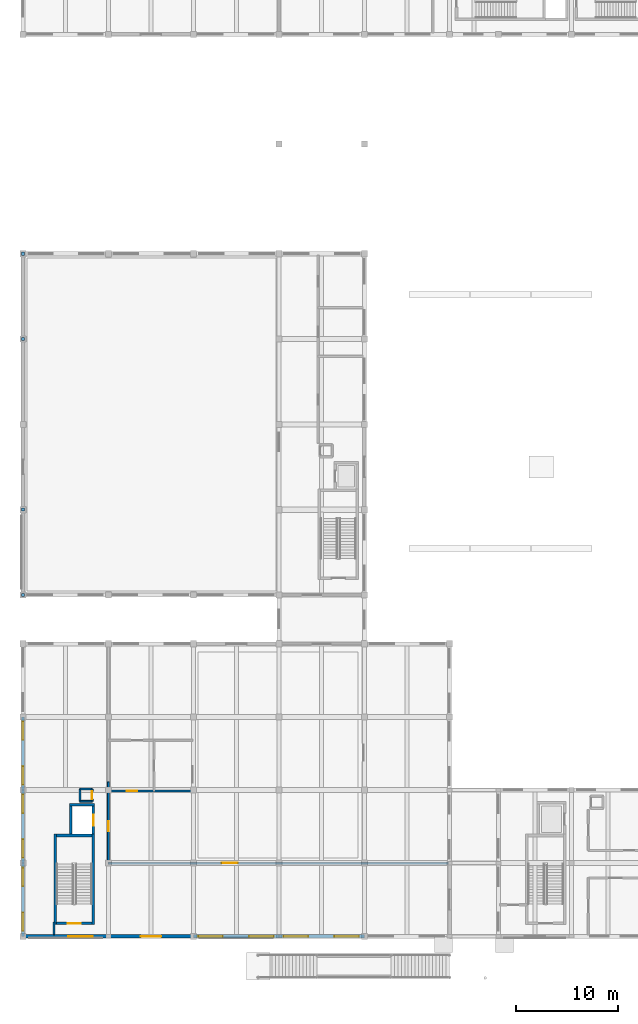
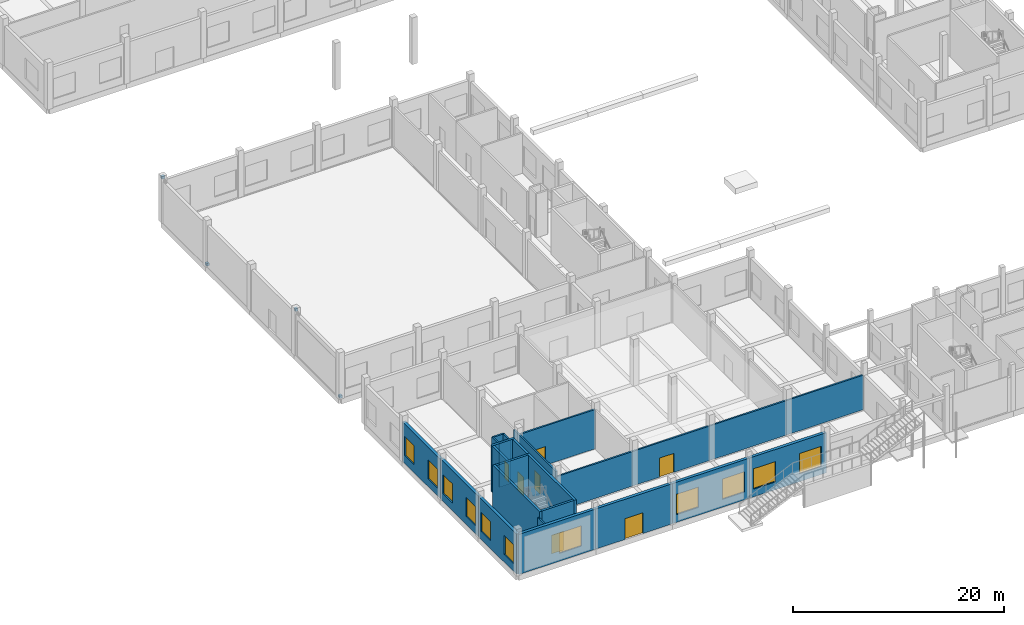
# One storey, part 14 of 41: 22 walls, 11 windows, 7 doors, 4 plates, 18 openings.
"""IFC4 building model written with IfcOpenShell, lengths in metres."""

from ifc_helpers import new_model, si_unit, direction, frame, frame_2d, origin, origin_2d, place, context, subcontext, project, spatial, rectangle, extrude, material, layer, layer_set, type_object, element, fill, save


model = new_model("IFC4")

# Units and contexts
model_context = context("Model", 3, precision=1e-05, world=origin(), true_north=direction((0.0, 1.0)))
body_context = subcontext(model_context, "Body", "Model", "MODEL_VIEW")
ifc_project = project(units=[si_unit("LENGTHUNIT", "METRE"), si_unit("AREAUNIT", "SQUARE_METRE"), si_unit("VOLUMEUNIT", "CUBIC_METRE"), si_unit("PLANEANGLEUNIT", "RADIAN"), si_unit("MASSUNIT", "GRAM", prefix="KILO")], contexts=[model_context])

# Site, building, storey
site_placement = place(None, origin())
site = spatial("IfcSite", under=ifc_project, at=site_placement, CompositionType="ELEMENT")
building_placement = place(site_placement, origin())
building = spatial("IfcBuilding", under=site, at=building_placement, Name="Kahlenmark Community Centre", CompositionType="ELEMENT")
storey_placement = place(building_placement, origin())
storey = spatial("IfcBuildingStorey", under=building, at=storey_placement, Name="L00", CompositionType="ELEMENT", Elevation=0.0)

# Plates
ifc_material_1 = material(Name="Steel S355", Category="steel")
ifc_layer_1 = layer(ifc_material_1, 0.02392578125)
ifc_layer_set_1 = layer_set([ifc_layer_1], Name="Steel S355")
plate_type = type_object("IfcPlateType", Name="PT-NODE-BN-01-30X30X30", PredefinedType="USERDEFINED", material=ifc_layer_set_1)
for number, where, z_axis, x_axis, name in (
    (1, (4.0, 42.39990234375, 0.0), (0.0, 0.0, 1.0), (1.0, 0.0, 0.0), "Steel hollow-node cap plate 0333"),
    (2, (4.0, 50.800048828125, 4.9501953125), (0.0, 0.0, 1.0), (1.0, 0.0, 0.0), "Steel hollow-node cap plate 0334"),
    (3, (4.0, 67.60009765625, 0.0), (0.0, 0.0, 1.0), (1.0, 0.0, 0.0), "Steel hollow-node cap plate 0335"),
    (4, (4.0, 76.0, 4.9501953125), (0.0, 0.0, 1.0), (1.0, 0.0, 0.0), "Steel hollow-node cap plate 0336"),
):
    element("IfcPlate", number, at=place(storey_placement, frame(where, z_axis=z_axis, x_axis=x_axis)), inside=storey, type_object=plate_type, Name=name, ObjectType="STIFFENER_PLATE", PredefinedType="USERDEFINED", context=body_context, shape_type="SweptSolid", body=[
        extrude(rectangle(XDim=0.300048828125, YDim=0.300048828125, at=origin_2d()), origin(), (0.0, 0.0, 1.0), 0.300048828125),
    ])

# Wall, opening, door
ifc_material_2 = material(Name="Concrete C35/45", Category="concrete")
ifc_layer_2 = layer(ifc_material_2, 0.25)
ifc_layer_set_2 = layer_set([ifc_layer_2], Name="Concrete C35/45")
wall_type_1 = type_object("IfcWallType", Name="WT-CORE-250", PredefinedType="SHEAR", material=ifc_layer_set_2)
wall_1_placement = place(storey_placement, frame((7.300048828125, 10.074951171875, 0.0), z_axis=(0.0, 0.0, 1.0), x_axis=(1.0, 0.0, 0.0)))
wall_1 = element("IfcWall", 5, at=wall_1_placement, inside=storey, type_object=wall_type_1, Name="Core K1 shear wall WL-CORE-K1-L00-0008", PredefinedType="SHEAR", context=body_context, shape_type="SweptSolid", body=[
    extrude(rectangle(XDim=3.5, YDim=0.25, at=frame_2d((1.75, 0.0))), origin(), (0.0, 0.0, 1.0), 5.39990234375),
])
opening_1_placement = place(wall_1_placement, frame((1.10009765625, 0.0, -0.010009765625)))
opening_1 = element("IfcOpeningElement", 6, at=opening_1_placement, cuts=wall_1, Name="Opening FD-K1-L00", PredefinedType="OPENING", context=body_context, shape_type="SweptSolid", body=[
    extrude(rectangle(XDim=1.300048828125, YDim=2.159912109375, at=frame_2d((0.64990234375, 1.080078125))), frame((0.0, 0.135009765625, 0.0), z_axis=(0.0, -1.0, 0.0), x_axis=(1.0, 0.0, 0.0)), (0.0, 0.0, 1.0), 0.27001953125),
])
ifc_material_3 = material(Name="Fire-rated steel-framed timber door FD60S", Category="steel")
door_type_1 = type_object("IfcDoorType", Name="DT-FD-K1-L00", OperationType="NOTDEFINED", PredefinedType="DOOR", material=ifc_material_3)
door_1_placement = place(opening_1_placement, frame((1.300048828125, 0.0, 0.010009765625), z_axis=(0.0, 0.0, 1.0), x_axis=(-1.0, 0.0, 0.0)))
door_1 = element("IfcDoor", 7, at=door_1_placement, inside=storey, type_object=door_type_1, Name="Core K1 stair fire door L00", OperationType="SINGLE_SWING_LEFT", OverallHeight=2.14990234375, OverallWidth=1.300048828125, PredefinedType="DOOR", context=body_context, shape_type="SweptSolid", body=[
    extrude(rectangle(XDim=1.300048828125, YDim=2.14990234375, at=frame_2d((0.64990234375, 1.074951171875))), frame((0.0, 0.02490234375, 0.0), z_axis=(0.0, -1.0, 0.0), x_axis=(1.0, 0.0, 0.0)), (0.0, 0.0, 1.0), 0.050048828125),
])
fill(opening_1, door_1)

# Walls
wall_2_placement = place(storey_placement, frame((7.175048828125, 9.949951171875, 0.0), z_axis=(0.0, 0.0, 1.0), x_axis=(0.0, 1.0, 0.0)))
element("IfcWall", 8, at=wall_2_placement, inside=storey, type_object=wall_type_1, Name="Core K1 shear wall WL-CORE-K1-L00-0009", PredefinedType="SHEAR", context=body_context, shape_type="SweptSolid", body=[
    extrude(rectangle(XDim=8.900146484375, YDim=0.25, at=frame_2d((4.4501953125, 0.0))), origin(), (0.0, 0.0, 1.0), 5.39990234375),
])
wall_3_placement = place(storey_placement, frame((10.800048828125, 18.72509765625, 0.0), z_axis=(0.0, 0.0, 1.0), x_axis=(-1.0, 0.0, 0.0)))
element("IfcWall", 9, at=wall_3_placement, inside=storey, type_object=wall_type_1, Name="Core K1 shear wall WL-CORE-K1-L00-0010", PredefinedType="SHEAR", context=body_context, shape_type="SweptSolid", body=[
    extrude(rectangle(XDim=3.5, YDim=0.25, at=frame_2d((1.75, 0.0))), origin(), (0.0, 0.0, 1.0), 5.39990234375),
])
wall_4_placement = place(storey_placement, frame((10.925048828125, 9.949951171875, 0.0), z_axis=(0.0, 0.0, 1.0), x_axis=(0.0, 1.0, 0.0)))
element("IfcWall", 10, at=wall_4_placement, inside=storey, type_object=wall_type_1, Name="Core K1 shear wall WL-CORE-K1-L00-0011", PredefinedType="SHEAR", context=body_context, shape_type="SweptSolid", body=[
    extrude(rectangle(XDim=8.900146484375, YDim=0.25, at=frame_2d((4.4501953125, 0.0))), origin(), (0.0, 0.0, 1.0), 5.39990234375),
])
wall_5_placement = place(storey_placement, frame((8.590087890625, 21.735107421875, 0.0), z_axis=(0.0, 0.0, 1.0), x_axis=(1.0, 0.0, 0.0)))
element("IfcWall", 11, at=wall_5_placement, inside=storey, type_object=wall_type_1, Name="Core K1 shear wall WL-CORE-K1-L00-0012", PredefinedType="SHEAR", context=body_context, shape_type="SweptSolid", body=[
    extrude(rectangle(XDim=2.4599609375, YDim=0.25, at=frame_2d((1.22998046875, 0.0))), origin(), (0.0, 0.0, 1.0), 5.39990234375),
])

# Wall, opening, door
wall_6_placement = place(storey_placement, frame((10.925048828125, 18.85009765625, 0.0), z_axis=(0.0, 0.0, 1.0), x_axis=(0.0, 1.0, 0.0)))
wall_6 = element("IfcWall", 12, at=wall_6_placement, inside=storey, type_object=wall_type_1, Name="Core K1 shear wall WL-CORE-K1-L00-0013", PredefinedType="SHEAR", context=body_context, shape_type="SweptSolid", body=[
    extrude(rectangle(XDim=2.760009765625, YDim=0.25, at=frame_2d((1.3798828125, 0.0))), origin(), (0.0, 0.0, 1.0), 5.39990234375),
])
opening_2_placement = place(wall_6_placement, frame((0.830078125, 0.0, -0.010009765625)))
opening_2 = element("IfcOpeningElement", 13, at=opening_2_placement, cuts=wall_6, Name="Opening LD-1", PredefinedType="OPENING", context=body_context, shape_type="SweptSolid", body=[
    extrude(rectangle(XDim=1.10009765625, YDim=2.159912109375, at=frame_2d((0.550048828125, 1.080078125))), frame((0.0, 0.135009765625, 0.0), z_axis=(0.0, -1.0, 0.0), x_axis=(1.0, 0.0, 0.0)), (0.0, 0.0, 1.0), 0.27001953125),
])
ifc_material_4 = material(Name="Brushed stainless steel sliding lift landing door", Category="steel")
door_type_2 = type_object("IfcDoorType", Name="DT-LD-K1", OperationType="SLIDING_TO_LEFT", PredefinedType="DOOR", material=ifc_material_4)
door_2_placement = place(opening_2_placement, frame((0.0, 0.0, 0.010009765625)))
door_2 = element("IfcDoor", 14, at=door_2_placement, inside=storey, type_object=door_type_2, Name="Lift LF-01 sliding landing door L00", OperationType="SLIDING_TO_LEFT", OverallHeight=2.14990234375, OverallWidth=1.10009765625, PredefinedType="DOOR", context=body_context, shape_type="SweptSolid", body=[
    extrude(rectangle(XDim=1.10009765625, YDim=2.14990234375, at=frame_2d((0.550048828125, 1.074951171875))), frame((0.0, 0.02490234375, 0.0), z_axis=(0.0, -1.0, 0.0), x_axis=(1.0, 0.0, 0.0)), (0.0, 0.0, 1.0), 0.050048828125),
])
fill(opening_2, door_2)

# Wall
wall_7_placement = place(storey_placement, frame((8.715087890625, 18.85009765625, 0.0), z_axis=(0.0, 0.0, 1.0), x_axis=(0.0, 1.0, 0.0)))
element("IfcWall", 15, at=wall_7_placement, inside=storey, type_object=wall_type_1, Name="Core K1 shear wall WL-CORE-K1-L00-0014", PredefinedType="SHEAR", context=body_context, shape_type="SweptSolid", body=[
    extrude(rectangle(XDim=3.010009765625, YDim=0.25, at=frame_2d((1.5048828125, 0.0))), origin(), (0.0, 0.0, 1.0), 5.39990234375),
])

# Wall, opening, window
ifc_material_5 = material(Name="Danube limestone masonry", Category="masonry")
ifc_layer_3 = layer(ifc_material_5, 0.320068359375)
ifc_layer_set_3 = layer_set([ifc_layer_3], Name="Danube limestone masonry")
wall_type_2 = type_object("IfcWallType", Name="WT-EW-320", PredefinedType="SOLIDWALL", material=ifc_layer_set_3)
wall_8_placement = place(storey_placement, frame((4.0, 8.800048828125, 0.0), z_axis=(0.0, 0.0, 1.0), x_axis=(1.0, 0.0, 0.0)))
wall_8 = element("IfcWall", 16, at=wall_8_placement, inside=storey, type_object=wall_type_2, Name="Exterior wall WL-EXT-L00-0135", PredefinedType="SOLIDWALL", context=body_context, shape_type="SweptSolid", body=[
    extrude(rectangle(XDim=8.39990234375, YDim=0.320068359375, at=frame_2d((4.199951171875, 0.0))), origin(), (0.0, 0.0, 1.0), 4.639892578125),
])
opening_3_placement = place(wall_8_placement, frame((4.4599609375, 0.0, 0.89990234375)))
opening_3 = element("IfcOpeningElement", 17, at=opening_3_placement, cuts=wall_8, Name="Opening W-240X235", PredefinedType="OPENING", context=body_context, shape_type="SweptSolid", body=[
    extrude(rectangle(XDim=2.39990234375, YDim=2.35009765625, at=frame_2d((1.199951171875, 1.175048828125))), frame((0.0, 0.169921875, 0.0), z_axis=(0.0, -1.0, 0.0), x_axis=(1.0, 0.0, 0.0)), (0.0, 0.0, 1.0), 0.340087890625),
])
ifc_material_6 = material(Name="Triple low-e insulated glazing in timber-aluminium frame", Category="wood")
window_type_1 = type_object("IfcWindowType", Name="WNT-240X235", PartitioningType="TRIPLE_PANEL_VERTICAL", PredefinedType="WINDOW", material=ifc_material_6)
window_1_placement = place(opening_3_placement, origin())
window_1 = element("IfcWindow", 18, at=window_1_placement, inside=storey, type_object=window_type_1, Name="Window W-240X235 #0001", OverallHeight=2.35009765625, OverallWidth=2.39990234375, PartitioningType="TRIPLE_PANEL_VERTICAL", PredefinedType="WINDOW", context=body_context, shape_type="SweptSolid", body=[
    extrude(rectangle(XDim=2.39990234375, YDim=2.35009765625, at=frame_2d((1.199951171875, 1.175048828125))), frame((0.0, 0.030029296875, 0.0), z_axis=(0.0, -1.0, 0.0), x_axis=(1.0, 0.0, 0.0)), (0.0, 0.0, 1.0), 0.06005859375),
])
fill(opening_3, window_1)

# Wall, opening, door
wall_9_placement = place(storey_placement, frame((12.39990234375, 8.800048828125, 0.0), z_axis=(0.0, 0.0, 1.0), x_axis=(1.0, 0.0, 0.0)))
wall_9 = element("IfcWall", 19, at=wall_9_placement, inside=storey, type_object=wall_type_2, Name="Exterior wall WL-EXT-L00-0136", PredefinedType="SOLIDWALL", context=body_context, shape_type="SweptSolid", body=[
    extrude(rectangle(XDim=8.400146484375, YDim=0.320068359375, at=frame_2d((4.2001953125, 0.0))), origin(), (0.0, 0.0, 1.0), 4.639892578125),
])
opening_4_placement = place(wall_9_placement, frame((3.199951171875, 0.0, -0.010009765625)))
opening_4 = element("IfcOpeningElement", 20, at=opening_4_placement, cuts=wall_9, Name="Opening D-E01", PredefinedType="OPENING", context=body_context, shape_type="SweptSolid", body=[
    extrude(rectangle(XDim=2.0, YDim=2.409912109375, at=frame_2d((1.0, 1.205078125))), frame((0.0, 0.169921875, 0.0), z_axis=(0.0, -1.0, 0.0), x_axis=(1.0, 0.0, 0.0)), (0.0, 0.0, 1.0), 0.340087890625),
])
ifc_material_7 = material(Name="Thermally broken glazed aluminium double entrance door", Category="aluminium")
door_type_3 = type_object("IfcDoorType", Name="DT-EXT-200X240", OperationType="NOTDEFINED", PredefinedType="DOOR", material=ifc_material_7)
door_3_placement = place(opening_4_placement, frame((0.0, 0.0, 0.010009765625)))
door_3 = element("IfcDoor", 21, at=door_3_placement, inside=storey, type_object=door_type_3, Name="Exterior door D-E01", OperationType="DOUBLE_SWING_LEFT", OverallHeight=2.39990234375, OverallWidth=2.0, PredefinedType="DOOR", context=body_context, shape_type="SweptSolid", body=[
    extrude(rectangle(XDim=2.0, YDim=2.39990234375, at=frame_2d((1.0, 1.199951171875))), frame((0.0, 0.02490234375, 0.0), z_axis=(0.0, -1.0, 0.0), x_axis=(1.0, 0.0, 0.0)), (0.0, 0.0, 1.0), 0.050048828125),
])
fill(opening_4, door_3)

# Wall, openings, windows
wall_10_placement = place(storey_placement, frame((20.800048828125, 8.800048828125, 0.0), z_axis=(0.0, 0.0, 1.0), x_axis=(1.0, 0.0, 0.0)))
wall_10 = element("IfcWall", 22, at=wall_10_placement, inside=storey, type_object=wall_type_2, Name="Exterior wall WL-EXT-L00-0137", PredefinedType="SOLIDWALL", context=body_context, shape_type="SweptSolid", body=[
    extrude(rectangle(XDim=8.39990234375, YDim=0.320068359375, at=frame_2d((4.199951171875, 0.0))), origin(), (0.0, 0.0, 1.0), 4.639892578125),
])
opening_5_placement = place(wall_10_placement, frame((0.4599609375, 0.0, 0.89990234375)))
opening_5 = element("IfcOpeningElement", 23, at=opening_5_placement, cuts=wall_10, Name="Opening W-240X235", PredefinedType="OPENING", context=body_context, shape_type="SweptSolid", body=[
    extrude(rectangle(XDim=2.39990234375, YDim=2.35009765625, at=frame_2d((1.199951171875, 1.175048828125))), frame((0.0, 0.169921875, 0.0), z_axis=(0.0, -1.0, 0.0), x_axis=(1.0, 0.0, 0.0)), (0.0, 0.0, 1.0), 0.340087890625),
])
opening_6_placement = place(wall_10_placement, frame((5.4599609375, 0.0, 0.89990234375)))
opening_6 = element("IfcOpeningElement", 24, at=opening_6_placement, cuts=wall_10, Name="Opening W-240X235", PredefinedType="OPENING", context=body_context, shape_type="SweptSolid", body=[
    extrude(rectangle(XDim=2.39990234375, YDim=2.35009765625, at=frame_2d((1.199951171875, 1.175048828125))), frame((0.0, 0.169921875, 0.0), z_axis=(0.0, -1.0, 0.0), x_axis=(1.0, 0.0, 0.0)), (0.0, 0.0, 1.0), 0.340087890625),
])
window_2_placement = place(opening_5_placement, origin())
window_2 = element("IfcWindow", 25, at=window_2_placement, inside=storey, type_object=window_type_1, Name="Window W-240X235 #0002", OverallHeight=2.35009765625, OverallWidth=2.39990234375, PartitioningType="TRIPLE_PANEL_VERTICAL", PredefinedType="WINDOW", context=body_context, shape_type="SweptSolid", body=[
    extrude(rectangle(XDim=2.39990234375, YDim=2.35009765625, at=frame_2d((1.199951171875, 1.175048828125))), frame((0.0, 0.030029296875, 0.0), z_axis=(0.0, -1.0, 0.0), x_axis=(1.0, 0.0, 0.0)), (0.0, 0.0, 1.0), 0.06005859375),
])
fill(opening_5, window_2)
window_3_placement = place(opening_6_placement, origin())
window_3 = element("IfcWindow", 26, at=window_3_placement, inside=storey, type_object=window_type_1, Name="Window W-240X235 #0003", OverallHeight=2.35009765625, OverallWidth=2.39990234375, PartitioningType="TRIPLE_PANEL_VERTICAL", PredefinedType="WINDOW", context=body_context, shape_type="SweptSolid", body=[
    extrude(rectangle(XDim=2.39990234375, YDim=2.35009765625, at=frame_2d((1.199951171875, 1.175048828125))), frame((0.0, 0.030029296875, 0.0), z_axis=(0.0, -1.0, 0.0), x_axis=(1.0, 0.0, 0.0)), (0.0, 0.0, 1.0), 0.06005859375),
])
fill(opening_6, window_3)

wall_11_placement = place(storey_placement, frame((29.199951171875, 8.800048828125, 0.0), z_axis=(0.0, 0.0, 1.0), x_axis=(1.0, 0.0, 0.0)))
wall_11 = element("IfcWall", 27, at=wall_11_placement, inside=storey, type_object=wall_type_2, Name="Exterior wall WL-EXT-L00-0138", PredefinedType="SOLIDWALL", context=body_context, shape_type="SweptSolid", body=[
    extrude(rectangle(XDim=8.400146484375, YDim=0.320068359375, at=frame_2d((4.2001953125, 0.0))), origin(), (0.0, 0.0, 1.0), 4.639892578125),
])
opening_7_placement = place(wall_11_placement, frame((0.4599609375, 0.0, 0.89990234375)))
opening_7 = element("IfcOpeningElement", 28, at=opening_7_placement, cuts=wall_11, Name="Opening W-240X235", PredefinedType="OPENING", context=body_context, shape_type="SweptSolid", body=[
    extrude(rectangle(XDim=2.39990234375, YDim=2.35009765625, at=frame_2d((1.199951171875, 1.175048828125))), frame((0.0, 0.169921875, 0.0), z_axis=(0.0, -1.0, 0.0), x_axis=(1.0, 0.0, 0.0)), (0.0, 0.0, 1.0), 0.340087890625),
])
opening_8_placement = place(wall_11_placement, frame((5.4599609375, 0.0, 0.89990234375)))
opening_8 = element("IfcOpeningElement", 29, at=opening_8_placement, cuts=wall_11, Name="Opening W-240X235", PredefinedType="OPENING", context=body_context, shape_type="SweptSolid", body=[
    extrude(rectangle(XDim=2.39990234375, YDim=2.35009765625, at=frame_2d((1.199951171875, 1.175048828125))), frame((0.0, 0.169921875, 0.0), z_axis=(0.0, -1.0, 0.0), x_axis=(1.0, 0.0, 0.0)), (0.0, 0.0, 1.0), 0.340087890625),
])
window_4_placement = place(opening_7_placement, origin())
window_4 = element("IfcWindow", 30, at=window_4_placement, inside=storey, type_object=window_type_1, Name="Window W-240X235 #0004", OverallHeight=2.35009765625, OverallWidth=2.39990234375, PartitioningType="TRIPLE_PANEL_VERTICAL", PredefinedType="WINDOW", context=body_context, shape_type="SweptSolid", body=[
    extrude(rectangle(XDim=2.39990234375, YDim=2.35009765625, at=frame_2d((1.199951171875, 1.175048828125))), frame((0.0, 0.030029296875, 0.0), z_axis=(0.0, -1.0, 0.0), x_axis=(1.0, 0.0, 0.0)), (0.0, 0.0, 1.0), 0.06005859375),
])
fill(opening_7, window_4)
window_5_placement = place(opening_8_placement, origin())
window_5 = element("IfcWindow", 31, at=window_5_placement, inside=storey, type_object=window_type_1, Name="Window W-240X235 #0005", OverallHeight=2.35009765625, OverallWidth=2.39990234375, PartitioningType="TRIPLE_PANEL_VERTICAL", PredefinedType="WINDOW", context=body_context, shape_type="SweptSolid", body=[
    extrude(rectangle(XDim=2.39990234375, YDim=2.35009765625, at=frame_2d((1.199951171875, 1.175048828125))), frame((0.0, 0.030029296875, 0.0), z_axis=(0.0, -1.0, 0.0), x_axis=(1.0, 0.0, 0.0)), (0.0, 0.0, 1.0), 0.06005859375),
])
fill(opening_8, window_5)

wall_12_placement = place(storey_placement, frame((4.0, 16.0, 0.0), z_axis=(0.0, 0.0, 1.0), x_axis=(0.0, -1.0, 0.0)))
wall_12 = element("IfcWall", 32, at=wall_12_placement, inside=storey, type_object=wall_type_2, Name="Exterior wall WL-EXT-L00-0144", PredefinedType="SOLIDWALL", context=body_context, shape_type="SweptSolid", body=[
    extrude(rectangle(XDim=7.199951171875, YDim=0.320068359375, at=frame_2d((3.60009765625, 0.0))), origin(), (0.0, 0.0, 1.0), 4.639892578125),
])
opening_9_placement = place(wall_12_placement, frame((0.4599609375, 0.0, 0.89990234375)))
opening_9 = element("IfcOpeningElement", 33, at=opening_9_placement, cuts=wall_12, Name="Opening W-180X220", PredefinedType="OPENING", context=body_context, shape_type="SweptSolid", body=[
    extrude(rectangle(XDim=1.800048828125, YDim=2.199951171875, at=frame_2d((0.89990234375, 1.10009765625))), frame((0.0, 0.169921875, 0.0), z_axis=(0.0, -1.0, 0.0), x_axis=(1.0, 0.0, 0.0)), (0.0, 0.0, 1.0), 0.340087890625),
])
opening_10_placement = place(wall_12_placement, frame((4.860107421875, 0.0, 0.89990234375)))
opening_10 = element("IfcOpeningElement", 34, at=opening_10_placement, cuts=wall_12, Name="Opening W-180X220", PredefinedType="OPENING", context=body_context, shape_type="SweptSolid", body=[
    extrude(rectangle(XDim=1.800048828125, YDim=2.199951171875, at=frame_2d((0.89990234375, 1.10009765625))), frame((0.0, 0.169921875, 0.0), z_axis=(0.0, -1.0, 0.0), x_axis=(1.0, 0.0, 0.0)), (0.0, 0.0, 1.0), 0.340087890625),
])
window_type_2 = type_object("IfcWindowType", Name="WNT-180X220", PartitioningType="DOUBLE_PANEL_VERTICAL", PredefinedType="WINDOW", material=ifc_material_6)
window_6_placement = place(opening_9_placement, origin())
window_6 = element("IfcWindow", 35, at=window_6_placement, inside=storey, type_object=window_type_2, Name="Window W-180X220 #0014", OverallHeight=2.199951171875, OverallWidth=1.800048828125, PartitioningType="DOUBLE_PANEL_VERTICAL", PredefinedType="WINDOW", context=body_context, shape_type="SweptSolid", body=[
    extrude(rectangle(XDim=1.800048828125, YDim=2.199951171875, at=frame_2d((0.89990234375, 1.10009765625))), frame((0.0, 0.030029296875, 0.0), z_axis=(0.0, -1.0, 0.0), x_axis=(1.0, 0.0, 0.0)), (0.0, 0.0, 1.0), 0.06005859375),
])
fill(opening_9, window_6)
window_7_placement = place(opening_10_placement, origin())
window_7 = element("IfcWindow", 36, at=window_7_placement, inside=storey, type_object=window_type_2, Name="Window W-180X220 #0015", OverallHeight=2.199951171875, OverallWidth=1.800048828125, PartitioningType="DOUBLE_PANEL_VERTICAL", PredefinedType="WINDOW", context=body_context, shape_type="SweptSolid", body=[
    extrude(rectangle(XDim=1.800048828125, YDim=2.199951171875, at=frame_2d((0.89990234375, 1.10009765625))), frame((0.0, 0.030029296875, 0.0), z_axis=(0.0, -1.0, 0.0), x_axis=(1.0, 0.0, 0.0)), (0.0, 0.0, 1.0), 0.06005859375),
])
fill(opening_10, window_7)

wall_13_placement = place(storey_placement, frame((4.0, 23.199951171875, 0.0), z_axis=(0.0, 0.0, 1.0), x_axis=(0.0, -1.0, 0.0)))
wall_13 = element("IfcWall", 37, at=wall_13_placement, inside=storey, type_object=wall_type_2, Name="Exterior wall WL-EXT-L00-0145", PredefinedType="SOLIDWALL", context=body_context, shape_type="SweptSolid", body=[
    extrude(rectangle(XDim=7.199951171875, YDim=0.320068359375, at=frame_2d((3.60009765625, 0.0))), origin(), (0.0, 0.0, 1.0), 4.639892578125),
])
opening_11_placement = place(wall_13_placement, frame((0.4599609375, 0.0, 0.89990234375)))
opening_11 = element("IfcOpeningElement", 38, at=opening_11_placement, cuts=wall_13, Name="Opening W-180X220", PredefinedType="OPENING", context=body_context, shape_type="SweptSolid", body=[
    extrude(rectangle(XDim=1.800048828125, YDim=2.199951171875, at=frame_2d((0.89990234375, 1.10009765625))), frame((0.0, 0.169921875, 0.0), z_axis=(0.0, -1.0, 0.0), x_axis=(1.0, 0.0, 0.0)), (0.0, 0.0, 1.0), 0.340087890625),
])
opening_12_placement = place(wall_13_placement, frame((4.860107421875, 0.0, 0.89990234375)))
opening_12 = element("IfcOpeningElement", 39, at=opening_12_placement, cuts=wall_13, Name="Opening W-180X220", PredefinedType="OPENING", context=body_context, shape_type="SweptSolid", body=[
    extrude(rectangle(XDim=1.800048828125, YDim=2.199951171875, at=frame_2d((0.89990234375, 1.10009765625))), frame((0.0, 0.169921875, 0.0), z_axis=(0.0, -1.0, 0.0), x_axis=(1.0, 0.0, 0.0)), (0.0, 0.0, 1.0), 0.340087890625),
])
window_8_placement = place(opening_11_placement, origin())
window_8 = element("IfcWindow", 40, at=window_8_placement, inside=storey, type_object=window_type_2, Name="Window W-180X220 #0016", OverallHeight=2.199951171875, OverallWidth=1.800048828125, PartitioningType="DOUBLE_PANEL_VERTICAL", PredefinedType="WINDOW", context=body_context, shape_type="SweptSolid", body=[
    extrude(rectangle(XDim=1.800048828125, YDim=2.199951171875, at=frame_2d((0.89990234375, 1.10009765625))), frame((0.0, 0.030029296875, 0.0), z_axis=(0.0, -1.0, 0.0), x_axis=(1.0, 0.0, 0.0)), (0.0, 0.0, 1.0), 0.06005859375),
])
fill(opening_11, window_8)
window_9_placement = place(opening_12_placement, origin())
window_9 = element("IfcWindow", 41, at=window_9_placement, inside=storey, type_object=window_type_2, Name="Window W-180X220 #0017", OverallHeight=2.199951171875, OverallWidth=1.800048828125, PartitioningType="DOUBLE_PANEL_VERTICAL", PredefinedType="WINDOW", context=body_context, shape_type="SweptSolid", body=[
    extrude(rectangle(XDim=1.800048828125, YDim=2.199951171875, at=frame_2d((0.89990234375, 1.10009765625))), frame((0.0, 0.030029296875, 0.0), z_axis=(0.0, -1.0, 0.0), x_axis=(1.0, 0.0, 0.0)), (0.0, 0.0, 1.0), 0.06005859375),
])
fill(opening_12, window_9)

wall_14_placement = place(storey_placement, frame((4.0, 30.39990234375, 0.0), z_axis=(0.0, 0.0, 1.0), x_axis=(0.0, -1.0, 0.0)))
wall_14 = element("IfcWall", 42, at=wall_14_placement, inside=storey, type_object=wall_type_2, Name="Exterior wall WL-EXT-L00-0146", PredefinedType="SOLIDWALL", context=body_context, shape_type="SweptSolid", body=[
    extrude(rectangle(XDim=7.199951171875, YDim=0.320068359375, at=frame_2d((3.60009765625, 0.0))), origin(), (0.0, 0.0, 1.0), 4.5400390625),
])
opening_13_placement = place(wall_14_placement, frame((0.4599609375, 0.0, 0.89990234375)))
opening_13 = element("IfcOpeningElement", 43, at=opening_13_placement, cuts=wall_14, Name="Opening W-180X220", PredefinedType="OPENING", context=body_context, shape_type="SweptSolid", body=[
    extrude(rectangle(XDim=1.800048828125, YDim=2.199951171875, at=frame_2d((0.89990234375, 1.10009765625))), frame((0.0, 0.169921875, 0.0), z_axis=(0.0, -1.0, 0.0), x_axis=(1.0, 0.0, 0.0)), (0.0, 0.0, 1.0), 0.340087890625),
])
opening_14_placement = place(wall_14_placement, frame((4.860107421875, 0.0, 0.89990234375)))
opening_14 = element("IfcOpeningElement", 44, at=opening_14_placement, cuts=wall_14, Name="Opening W-180X220", PredefinedType="OPENING", context=body_context, shape_type="SweptSolid", body=[
    extrude(rectangle(XDim=1.800048828125, YDim=2.199951171875, at=frame_2d((0.89990234375, 1.10009765625))), frame((0.0, 0.169921875, 0.0), z_axis=(0.0, -1.0, 0.0), x_axis=(1.0, 0.0, 0.0)), (0.0, 0.0, 1.0), 0.340087890625),
])
window_10_placement = place(opening_13_placement, origin())
window_10 = element("IfcWindow", 45, at=window_10_placement, inside=storey, type_object=window_type_2, Name="Window W-180X220 #0018", OverallHeight=2.199951171875, OverallWidth=1.800048828125, PartitioningType="DOUBLE_PANEL_VERTICAL", PredefinedType="WINDOW", context=body_context, shape_type="SweptSolid", body=[
    extrude(rectangle(XDim=1.800048828125, YDim=2.199951171875, at=frame_2d((0.89990234375, 1.10009765625))), frame((0.0, 0.030029296875, 0.0), z_axis=(0.0, -1.0, 0.0), x_axis=(1.0, 0.0, 0.0)), (0.0, 0.0, 1.0), 0.06005859375),
])
fill(opening_13, window_10)
window_11_placement = place(opening_14_placement, origin())
window_11 = element("IfcWindow", 46, at=window_11_placement, inside=storey, type_object=window_type_2, Name="Window W-180X220 #0019", OverallHeight=2.199951171875, OverallWidth=1.800048828125, PartitioningType="DOUBLE_PANEL_VERTICAL", PredefinedType="WINDOW", context=body_context, shape_type="SweptSolid", body=[
    extrude(rectangle(XDim=1.800048828125, YDim=2.199951171875, at=frame_2d((0.89990234375, 1.10009765625))), frame((0.0, 0.030029296875, 0.0), z_axis=(0.0, -1.0, 0.0), x_axis=(1.0, 0.0, 0.0)), (0.0, 0.0, 1.0), 0.06005859375),
])
fill(opening_14, window_11)

# Wall
ifc_material_8 = material(Name="Gypsum plasterboard partition", Category="gypsum")
ifc_layer_4 = layer(ifc_material_8, 0.179931640625)
ifc_layer_set_4 = layer_set([ifc_layer_4], Name="Gypsum plasterboard partition")
wall_type_3 = type_object("IfcWallType", Name="WT-PW-180", PredefinedType="PARTITIONING", material=ifc_layer_set_4)
wall_15_placement = place(storey_placement, frame((7.050048828125, 8.9599609375, 0.0), z_axis=(0.0, 0.0, 1.0), x_axis=(0.0, 1.0, 0.0)))
element("IfcWall", 47, at=wall_15_placement, inside=storey, type_object=wall_type_3, Name="Interior partition WL-INT-L00-0014", PredefinedType="PARTITIONING", context=body_context, shape_type="SweptSolid", body=[
    extrude(rectangle(XDim=1.239990234375, YDim=0.179931640625, at=frame_2d((0.6201171875, 0.0))), origin(), (0.0, 0.0, 1.0), 4.639892578125),
])

# Wall, opening, door
wall_16_placement = place(storey_placement, frame((12.39990234375, 16.0, 0.0), z_axis=(0.0, 0.0, 1.0), x_axis=(1.0, 0.0, 0.0)))
wall_16 = element("IfcWall", 48, at=wall_16_placement, inside=storey, type_object=wall_type_3, Name="Interior partition WL-INT-L00-0015", PredefinedType="PARTITIONING", context=body_context, shape_type="SweptSolid", body=[
    extrude(rectangle(XDim=33.4501953125, YDim=0.179931640625, at=frame_2d((16.72509765625, 0.0))), origin(), (0.0, 0.0, 1.0), 3.989990234375),
])
opening_15_placement = place(wall_16_placement, frame((11.14697265625, 0.0, -0.010009765625)))
opening_15 = element("IfcOpeningElement", 49, at=opening_15_placement, cuts=wall_16, Name="Opening D-L00-008", PredefinedType="OPENING", context=body_context, shape_type="SweptSolid", body=[
    extrude(rectangle(XDim=1.60009765625, YDim=2.2099609375, at=frame_2d((0.800048828125, 1.10498046875))), frame((0.0, 0.099853515625, 0.0), z_axis=(0.0, -1.0, 0.0), x_axis=(1.0, 0.0, 0.0)), (0.0, 0.0, 1.0), 0.199951171875),
])
ifc_material_9 = material(Name="Oak double-leaf acoustic door")
door_type_4 = type_object("IfcDoorType", Name="DT-DBL-160X220", OperationType="NOTDEFINED", PredefinedType="DOOR", material=ifc_material_9)
door_4_placement = place(opening_15_placement, frame((0.0, 0.0, 0.010009765625)))
door_4 = element("IfcDoor", 50, at=door_4_placement, inside=storey, type_object=door_type_4, Name="Interior door D-L00-008", OperationType="DOUBLE_SWING_LEFT", OverallHeight=2.199951171875, OverallWidth=1.60009765625, PredefinedType="DOOR", context=body_context, shape_type="SweptSolid", body=[
    extrude(rectangle(XDim=1.60009765625, YDim=2.199951171875, at=frame_2d((0.800048828125, 1.10009765625))), frame((0.0, 0.02490234375, 0.0), z_axis=(0.0, -1.0, 0.0), x_axis=(1.0, 0.0, 0.0)), (0.0, 0.0, 1.0), 0.050048828125),
])
fill(opening_15, door_4)

wall_17_placement = place(storey_placement, frame((12.39990234375, 16.0, 0.0), z_axis=(0.0, 0.0, 1.0), x_axis=(0.0, 1.0, 0.0)))
wall_17 = element("IfcWall", 51, at=wall_17_placement, inside=storey, type_object=wall_type_3, Name="Interior partition WL-INT-L00-0016", PredefinedType="PARTITIONING", context=body_context, shape_type="SweptSolid", body=[
    extrude(rectangle(XDim=8.0, YDim=0.179931640625, at=frame_2d((4.0, 0.0))), origin(), (0.0, 0.0, 1.0), 4.5400390625),
])
opening_16_placement = place(wall_17_placement, frame((3.14990234375, 0.0, -0.010009765625)))
opening_16 = element("IfcOpeningElement", 52, at=opening_16_placement, cuts=wall_17, Name="Opening D-L00-009", PredefinedType="OPENING", context=body_context, shape_type="SweptSolid", body=[
    extrude(rectangle(XDim=1.0, YDim=2.159912109375, at=frame_2d((0.5, 1.080078125))), frame((0.0, 0.099853515625, 0.0), z_axis=(0.0, -1.0, 0.0), x_axis=(1.0, 0.0, 0.0)), (0.0, 0.0, 1.0), 0.199951171875),
])
ifc_material_10 = material(Name="Oak timber veneer door leaf", Category="wood")
door_type_5 = type_object("IfcDoorType", Name="DT-INT-100X215", OperationType="NOTDEFINED", PredefinedType="DOOR", material=ifc_material_10)
door_5_placement = place(opening_16_placement, frame((1.0, 0.0, 0.010009765625), z_axis=(0.0, 0.0, 1.0), x_axis=(-1.0, 0.0, 0.0)))
door_5 = element("IfcDoor", 53, at=door_5_placement, inside=storey, type_object=door_type_5, Name="Interior door D-L00-009", OperationType="SINGLE_SWING_RIGHT", OverallHeight=2.14990234375, OverallWidth=1.0, PredefinedType="DOOR", context=body_context, shape_type="SweptSolid", body=[
    extrude(rectangle(XDim=1.0, YDim=2.14990234375, at=frame_2d((0.5, 1.074951171875))), frame((0.0, 0.02490234375, 0.0), z_axis=(0.0, -1.0, 0.0), x_axis=(1.0, 0.0, 0.0)), (0.0, 0.0, 1.0), 0.050048828125),
])
fill(opening_16, door_5)

wall_18_placement = place(storey_placement, frame((12.39990234375, 23.10009765625, 0.0), z_axis=(0.0, 0.0, 1.0), x_axis=(1.0, 0.0, 0.0)))
wall_18 = element("IfcWall", 54, at=wall_18_placement, inside=storey, type_object=wall_type_3, Name="Interior partition WL-INT-L00-0020", PredefinedType="PARTITIONING", context=body_context, shape_type="SweptSolid", body=[
    extrude(rectangle(XDim=8.300048828125, YDim=0.179931640625, at=frame_2d((4.14990234375, 0.0))), origin(), (0.0, 0.0, 1.0), 4.5400390625),
])
opening_17_placement = place(wall_18_placement, frame((1.824951171875, 0.0, -0.010009765625)))
opening_17 = element("IfcOpeningElement", 55, at=opening_17_placement, cuts=wall_18, Name="Opening D-L00-012", PredefinedType="OPENING", context=body_context, shape_type="SweptSolid", body=[
    extrude(rectangle(XDim=1.0, YDim=2.159912109375, at=frame_2d((0.5, 1.080078125))), frame((0.0, 0.099853515625, 0.0), z_axis=(0.0, -1.0, 0.0), x_axis=(1.0, 0.0, 0.0)), (0.0, 0.0, 1.0), 0.199951171875),
])
door_6_placement = place(opening_17_placement, frame((1.0, 0.0, 0.010009765625), z_axis=(0.0, 0.0, 1.0), x_axis=(-1.0, 0.0, 0.0)))
door_6 = element("IfcDoor", 56, at=door_6_placement, inside=storey, type_object=door_type_5, Name="Interior door D-L00-012", OperationType="SINGLE_SWING_LEFT", OverallHeight=2.14990234375, OverallWidth=1.0, PredefinedType="DOOR", context=body_context, shape_type="SweptSolid", body=[
    extrude(rectangle(XDim=1.0, YDim=2.14990234375, at=frame_2d((0.5, 1.074951171875))), frame((0.0, 0.02490234375, 0.0), z_axis=(0.0, -1.0, 0.0), x_axis=(1.0, 0.0, 0.0)), (0.0, 0.0, 1.0), 0.050048828125),
])
fill(opening_17, door_6)

# Wall
ifc_material_11 = material(Name="Masonry blockwork", Category="masonry")
ifc_layer_5 = layer(ifc_material_11, 0.179931640625)
ifc_layer_set_5 = layer_set([ifc_layer_5], Name="Masonry blockwork")
wall_type_4 = type_object("IfcWallType", Name="WT-RISER-180", PredefinedType="SOLIDWALL", material=ifc_layer_set_5)
wall_19_placement = place(storey_placement, frame((9.60009765625, 22.10009765625, 0.0), z_axis=(0.0, 0.0, 1.0), x_axis=(1.0, 0.0, 0.0)))
element("IfcWall", 57, at=wall_19_placement, inside=storey, type_object=wall_type_4, Name="Riser RS-01 shaft wall L00.1", PredefinedType="SOLIDWALL", context=body_context, shape_type="SweptSolid", body=[
    extrude(rectangle(XDim=1.199951171875, YDim=0.179931640625, at=frame_2d((0.60009765625, 0.0))), origin(), (0.0, 0.0, 1.0), 5.070068359375),
])

# Wall, opening, door
wall_20_placement = place(storey_placement, frame((10.800048828125, 22.10009765625, 0.0), z_axis=(0.0, 0.0, 1.0), x_axis=(0.0, 1.0, 0.0)))
wall_20 = element("IfcWall", 58, at=wall_20_placement, inside=storey, type_object=wall_type_4, Name="Riser RS-01 shaft wall L00.2", PredefinedType="SOLIDWALL", context=body_context, shape_type="SweptSolid", body=[
    extrude(rectangle(XDim=1.199951171875, YDim=0.179931640625, at=frame_2d((0.60009765625, 0.0))), origin(), (0.0, 0.0, 1.0), 5.070068359375),
])
opening_18_placement = place(wall_20_placement, frame((0.199951171875, 0.0, -0.010009765625)))
opening_18 = element("IfcOpeningElement", 59, at=opening_18_placement, cuts=wall_20, Name="Opening FD-RS80", PredefinedType="OPENING", context=body_context, shape_type="SweptSolid", body=[
    extrude(rectangle(XDim=0.800048828125, YDim=2.06005859375, at=frame_2d((0.39990234375, 1.030029296875))), frame((0.0, 0.099853515625, 0.0), z_axis=(0.0, -1.0, 0.0), x_axis=(1.0, 0.0, 0.0)), (0.0, 0.0, 1.0), 0.199951171875),
])
ifc_material_12 = material(Name="Fire-rated steel service riser door FD60S", Category="steel")
door_type_6 = type_object("IfcDoorType", Name="DT-RISER-80X205", OperationType="NOTDEFINED", PredefinedType="DOOR", material=ifc_material_12)
door_7_placement = place(opening_18_placement, frame((0.0, 0.0, 0.010009765625)))
door_7 = element("IfcDoor", 60, at=door_7_placement, inside=storey, type_object=door_type_6, Name="Riser RS-01 access door L00", OperationType="SINGLE_SWING_RIGHT", OverallHeight=2.050048828125, OverallWidth=0.800048828125, PredefinedType="DOOR", context=body_context, shape_type="SweptSolid", body=[
    extrude(rectangle(XDim=0.800048828125, YDim=2.050048828125, at=frame_2d((0.39990234375, 1.02490234375))), frame((0.0, 0.02490234375, 0.0), z_axis=(0.0, -1.0, 0.0), x_axis=(1.0, 0.0, 0.0)), (0.0, 0.0, 1.0), 0.050048828125),
])
fill(opening_18, door_7)

# Walls
for number, where, z_axis, x_axis, name in (
    (61, (10.800048828125, 23.300048828125, 0.0), (0.0, 0.0, 1.0), (-1.0, 0.0, 0.0), "Riser RS-01 shaft wall L00.3"),
    (62, (9.60009765625, 23.300048828125, 0.0), (0.0, 0.0, 1.0), (0.0, -1.0, 0.0), "Riser RS-01 shaft wall L00.4"),
):
    element("IfcWall", number, at=place(storey_placement, frame(where, z_axis=z_axis, x_axis=x_axis)), inside=storey, type_object=wall_type_4, Name=name, PredefinedType="SOLIDWALL", context=body_context, shape_type="SweptSolid", body=[
        extrude(rectangle(XDim=1.199951171875, YDim=0.179931640625, at=frame_2d((0.60009765625, 0.0))), origin(), (0.0, 0.0, 1.0), 5.070068359375),
    ])

save(model, "model.ifc")
